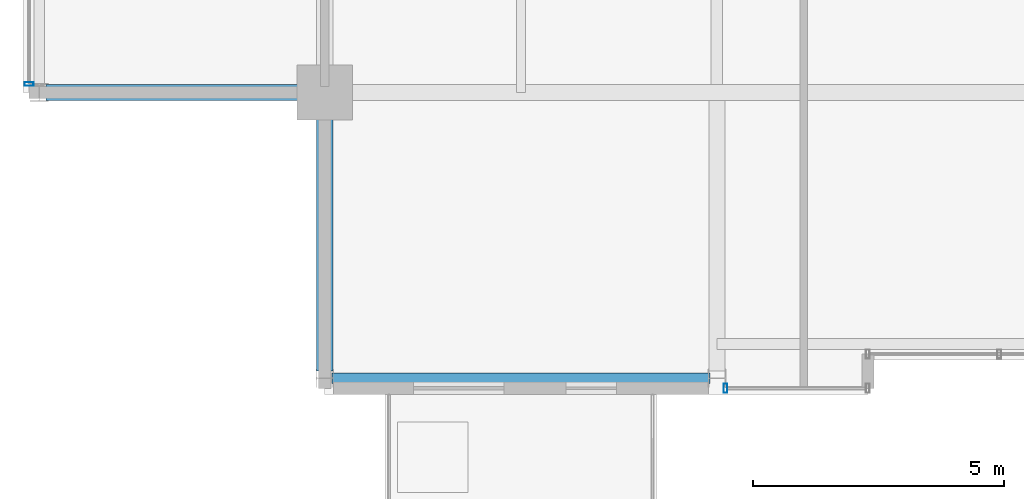
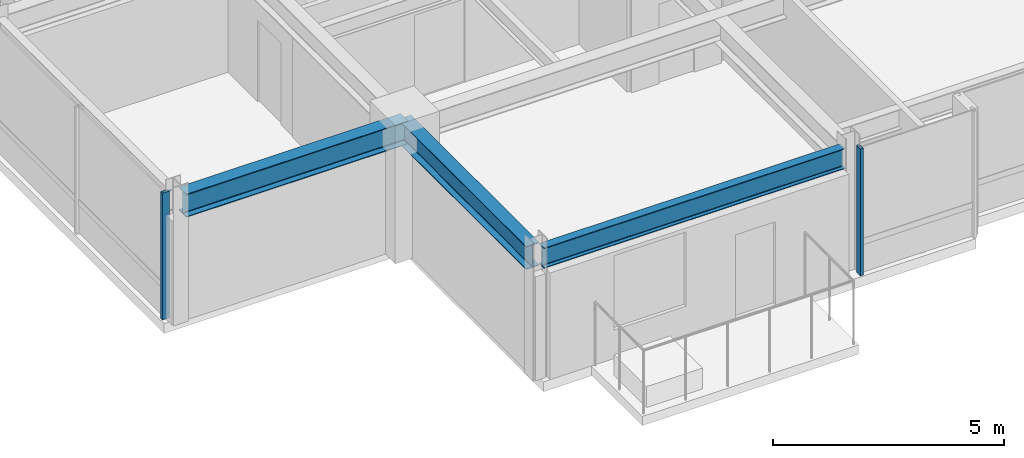
# One storey, part 4 of 34: 3 beams, 2 members, 2 elements without a shape of their own.
"""IFC4 building model written with IfcOpenShell, lengths in metres."""

from ifc_helpers import new_model, si_unit, direction, frame, origin, origin_2d, place, context, subcontext, project, spatial, hollow_rectangle, i_section, extrude, material, layer, layer_set, material_profile, profile_set, type_object, element, aggregate, save


model = new_model("IFC4")

# Units and contexts
model_context = context("Model", 3, precision=1e-05, world=origin(), true_north=direction((0.0, 1.0)))
body_context = subcontext(model_context, "Body", "Model", "MODEL_VIEW")
ifc_project = project(units=[si_unit("LENGTHUNIT", "METRE"), si_unit("AREAUNIT", "SQUARE_METRE"), si_unit("VOLUMEUNIT", "CUBIC_METRE"), si_unit("PLANEANGLEUNIT", "RADIAN"), si_unit("MASSUNIT", "GRAM", prefix="KILO")], contexts=[model_context])

# Site, building, storey
site_placement = place(None, origin())
site = spatial("IfcSite", under=ifc_project, at=site_placement, CompositionType="ELEMENT")
building_placement = place(site_placement, origin())
building = spatial("IfcBuilding", under=site, at=building_placement, Name="Drelvath Grand Hotel", CompositionType="ELEMENT")
storey_placement = place(building_placement, frame((0.0, 0.0, 290.550048828125)))
storey = spatial("IfcBuildingStorey", under=building, at=storey_placement, Name="L76", CompositionType="ELEMENT", Elevation=290.550048828125)

# Curtain wall, member
ifc_material_1 = material(Name="Platinum-Mist Anodised Aluminium Frame", Category="aluminium")
ifc_layer = layer(ifc_material_1, 0.199951171875)
ifc_layer_set = layer_set([ifc_layer], Name="Platinum-Mist Anodised Aluminium Frame")
curtain_wall_type = type_object("IfcCurtainWallType", Name="Stick Curtain Wall CW-05 Platinum Mist High-Rise", PredefinedType="NOTDEFINED", material=ifc_layer_set)
curtain_wall_1_placement = place(storey_placement, origin())
curtain_wall_1 = element("IfcCurtainWall", 1, at=curtain_wall_1_placement, inside=storey, type_object=curtain_wall_type, Name="L76 CW-05 Curtain Wall CW05-L76-WS1", PredefinedType="NOTDEFINED")
ifc_material_profile_1 = material_profile(ifc_material_1, hollow_rectangle(XDim=0.074951171875, YDim=0.179931640625, WallThickness=0.0048828125, at=origin_2d()), Name="HSS180X75X5")
ifc_profile_set_1 = profile_set([ifc_material_profile_1], Name="Platinum-Mist Anodised Aluminium Frame")
member_type = type_object("IfcMemberType", Name="Curtain Wall Vertical Mullion CW-05 HSS180X75X5", PredefinedType="MULLION", material=ifc_profile_set_1)
member_1_placement = place(storey_placement, frame((-22.080078125, 10.97021484375, 0.0), z_axis=(0.0, 0.0, 1.0), x_axis=(0.0, 1.0, 0.0)))
member_1 = element("IfcMember", 2, at=member_1_placement, type_object=member_type, Name="CW05-L76-WS1 Mullion 1", PredefinedType="MULLION", context=body_context, shape_type="SweptSolid", body=[
    extrude(hollow_rectangle(XDim=0.074951171875, YDim=0.179931640625, WallThickness=0.0048828125, at=origin_2d()), origin(), (0.0, 0.0, 1.0), 3.349853515625),
])
aggregate(curtain_wall_1, [member_1])

curtain_wall_2_placement = place(storey_placement, origin())
curtain_wall_2 = element("IfcCurtainWall", 3, at=curtain_wall_2_placement, inside=storey, type_object=curtain_wall_type, Name="L76 CW-05 Curtain Wall CW05-L76-SW2", PredefinedType="NOTDEFINED")
member_2_placement = place(storey_placement, frame((-8.22998046875, 4.919921875, 0.0), z_axis=(0.0, 0.0, 1.0), x_axis=(1.0, 0.0, 0.0)))
member_2 = element("IfcMember", 4, at=member_2_placement, type_object=member_type, Name="CW05-L76-SW2 Mullion 2", PredefinedType="MULLION", context=body_context, shape_type="SweptSolid", body=[
    extrude(hollow_rectangle(XDim=0.074951171875, YDim=0.179931640625, WallThickness=0.0048828125, at=origin_2d()), origin(), (0.0, 0.0, 1.0), 3.349853515625),
])
aggregate(curtain_wall_2, [member_2])

# Beams
ifc_material_2 = material(Name="Steel ASTM A992 Gr 50", Category="steel")
ifc_material_profile_2 = material_profile(ifc_material_2, i_section(OverallWidth=0.210205078125, OverallDepth=0.53662109375, WebThickness=0.010986328125, FlangeThickness=0.017333984375, FilletRadius=0.01806640625, at=origin_2d()), Name="W21X68")
ifc_profile_set_2 = profile_set([ifc_material_profile_2], Name="Steel ASTM A992 Gr 50")
beam_type_1 = type_object("IfcBeamType", Name="Perimeter Spandrel Beam W21X68", PredefinedType="SPANDREL", material=ifc_profile_set_2)
beam_placement = place(storey_placement, frame((-16.06005859375, 5.1201171875, 3.08154296875), z_axis=(1.0, 0.0, 0.0), x_axis=(0.0, 1.0, 0.0)))
element("IfcBeam", 5, at=beam_placement, inside=storey, type_object=beam_type_1, Name="L76 Spandrel South W", PredefinedType="SPANDREL", context=body_context, shape_type="SweptSolid", body=[
    extrude(i_section(OverallWidth=0.210205078125, OverallDepth=0.53662109375, WebThickness=0.010986328125, FlangeThickness=0.017333984375, FilletRadius=0.01806640625, at=origin_2d()), origin(), (0.0, 0.0, 1.0), 7.52001953125),
])
ifc_material_profile_3 = material_profile(ifc_material_2, i_section(OverallWidth=0.323974609375, OverallDepth=0.611083984375, WebThickness=0.0126953125, FlangeThickness=0.01904296875, FilletRadius=0.02197265625, at=origin_2d()), Name="W24X104")
ifc_profile_set_3 = profile_set([ifc_material_profile_3], Name="Steel ASTM A992 Gr 50")
beam_type_2 = type_object("IfcBeamType", Name="Primary Floor Girder W24X104", PredefinedType="BEAM", material=ifc_profile_set_3)
for number, where, z_axis, x_axis, name in (
    (6, (-21.739990234375, 10.800048828125, 3.04443359375), (1.0, 0.0, 0.0), (0.0, 1.0, 0.0), "L76 West Grid Girder C"),
    (7, (-16.199951171875, 5.260009765625, 3.04443359375), (0.0, 1.0, 0.0), (-1.0, 0.0, 0.0), "L76 South Grid Girder 3"),
):
    element("IfcBeam", number, at=place(storey_placement, frame(where, z_axis=z_axis, x_axis=x_axis)), inside=storey, type_object=beam_type_2, Name=name, PredefinedType="BEAM", context=body_context, shape_type="SweptSolid", body=[
        extrude(i_section(OverallWidth=0.323974609375, OverallDepth=0.611083984375, WebThickness=0.0126953125, FlangeThickness=0.01904296875, FilletRadius=0.02197265625, at=origin_2d()), origin(), (0.0, 0.0, 1.0), 5.5400390625),
    ])

save(model, "model.ifc")
